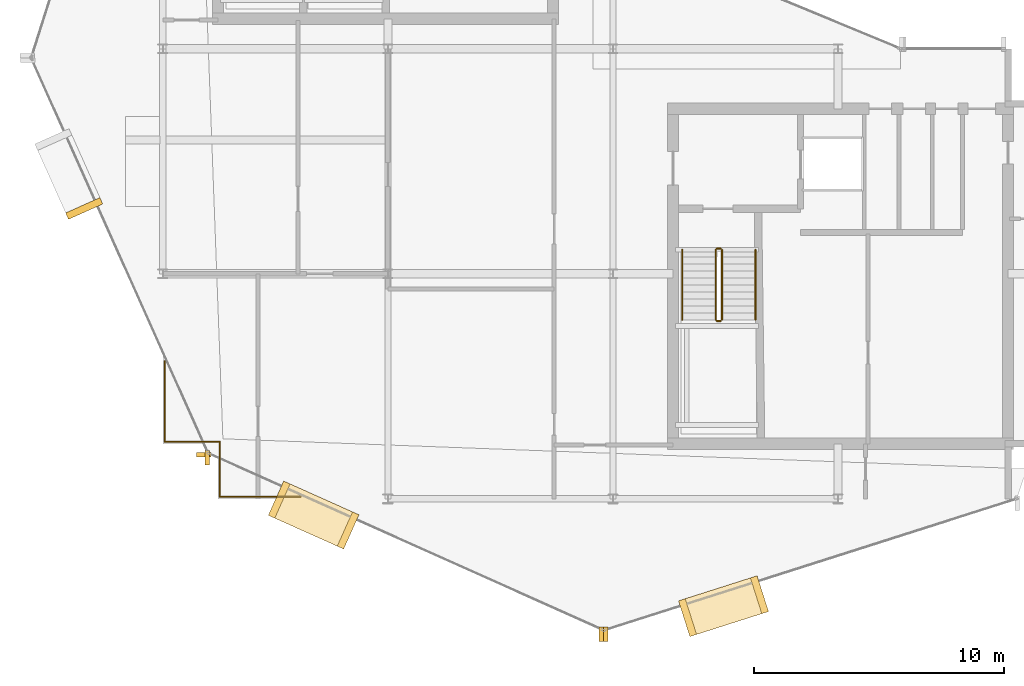
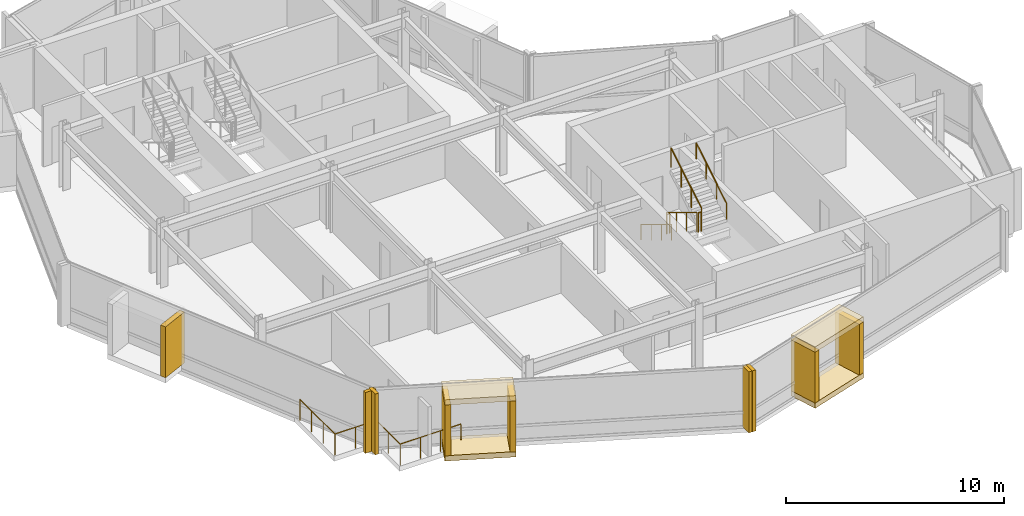
# One storey, part 16 of 19: 13 coverings, 10 railings.
"""IFC4 building model written with IfcOpenShell, lengths in metres."""

from ifc_helpers import new_model, si_unit, direction, frame, origin, origin_2d, place, context, subcontext, project, spatial, rectangle, circle, extrude, material, layer, layer_set, type_object, element, save


model = new_model("IFC4")

# Units and contexts
model_context = context("Model", 3, precision=1e-05, world=origin(), true_north=direction((0.0, 1.0)))
body_context = subcontext(model_context, "Body", "Model", "MODEL_VIEW")
ifc_project = project(units=[si_unit("LENGTHUNIT", "METRE"), si_unit("AREAUNIT", "SQUARE_METRE"), si_unit("VOLUMEUNIT", "CUBIC_METRE"), si_unit("PLANEANGLEUNIT", "RADIAN"), si_unit("MASSUNIT", "GRAM", prefix="KILO")], contexts=[model_context])

# Site, building, storey
site_placement = place(None, origin())
site = spatial("IfcSite", under=ifc_project, at=site_placement, CompositionType="ELEMENT")
building_placement = place(site_placement, origin())
building = spatial("IfcBuilding", under=site, at=building_placement, Name="Solvaryn Broadcast Tower", CompositionType="ELEMENT")
storey_placement = place(building_placement, frame((0.0, 0.0, 270.39990234375)))
storey = spatial("IfcBuildingStorey", under=building, at=storey_placement, Name="L68", CompositionType="ELEMENT", Elevation=270.39990234375)

# Coverings
ifc_material_1 = material(Name="Glazed Architectural Terracotta Rainscreen Cladding", Category="masonry")
ifc_layer_1 = layer(ifc_material_1, 0.280029296875)
ifc_layer_set_1 = layer_set([ifc_layer_1], Name="CV-TC-CLAD")
covering_type_1 = type_object("IfcCoveringType", Name="CV-TC-CLAD", PredefinedType="CLADDING", material=ifc_layer_set_1)
covering_1_placement = place(storey_placement, frame((5.852783203125, 20.61181640625, 0.2802734375), z_axis=(0.0, 0.0, 1.0), x_axis=(0.408489773781, -0.91276289622, 0.0)))
element("IfcCovering", 1, at=covering_1_placement, inside=storey, type_object=covering_type_1, Name="L68 Projecting Stone Window Box Cheek 2-2", PredefinedType="CLADDING", context=body_context, shape_type="SweptSolid", body=[
    extrude(rectangle(XDim=0.280029296875, YDim=1.5, at=origin_2d()), origin(), (0.0, 0.0, 1.0), 2.860107421875),
])
for number, where, z_axis, x_axis, name in (
    (2, (15.030029296875, 8.35107421875, 3.1298828125), (0.0, 0.0, 1.0), (0.91276289622, -0.408489773781, 0.0), "L68 Projecting Stone Window Box Hood 3"),
    (3, (15.030029296875, 8.35107421875, -0.009765625), (0.0, 0.0, 1.0), (0.91276289622, -0.408489773781, 0.0), "L68 Projecting Stone Window Box Sill 3"),
):
    element("IfcCovering", number, at=place(storey_placement, frame(where, z_axis=z_axis, x_axis=x_axis)), inside=storey, type_object=covering_type_1, Name=name, PredefinedType="CLADDING", context=body_context, shape_type="SweptSolid", body=[
        extrude(rectangle(XDim=3.300048828125, YDim=1.5, at=origin_2d()), origin(), (0.0, 0.0, 1.0), 0.300048828125),
    ])
for number, where, z_axis, x_axis, name in (
    (4, (13.651611328125, 8.9677734375, 0.2802734375), (0.0, 0.0, 1.0), (0.91276289622, -0.408489773781, 0.0), "L68 Projecting Stone Window Box Cheek 3-1"),
    (5, (16.408203125, 7.734130859375, 0.2802734375), (0.0, 0.0, 1.0), (0.91276289622, -0.408489773781, 0.0), "L68 Projecting Stone Window Box Cheek 3-2"),
):
    element("IfcCovering", number, at=place(storey_placement, frame(where, z_axis=z_axis, x_axis=x_axis)), inside=storey, type_object=covering_type_1, Name=name, PredefinedType="CLADDING", context=body_context, shape_type="SweptSolid", body=[
        extrude(rectangle(XDim=0.280029296875, YDim=1.5, at=origin_2d()), origin(), (0.0, 0.0, 1.0), 2.860107421875),
    ])
for number, where, z_axis, x_axis, name in (
    (6, (31.4208984375, 4.7060546875, 3.1298828125), (0.0, 0.0, 1.0), (0.952820541996, 0.303534206887, 0.0), "L68 Projecting Stone Window Box Hood 4"),
    (7, (31.4208984375, 4.7060546875, -0.009765625), (0.0, 0.0, 1.0), (0.952820541996, 0.303534206887, 0.0), "L68 Projecting Stone Window Box Sill 4"),
):
    element("IfcCovering", number, at=place(storey_placement, frame(where, z_axis=z_axis, x_axis=x_axis)), inside=storey, type_object=covering_type_1, Name=name, PredefinedType="CLADDING", context=body_context, shape_type="SweptSolid", body=[
        extrude(rectangle(XDim=3.300048828125, YDim=1.5, at=origin_2d()), origin(), (0.0, 0.0, 1.0), 0.300048828125),
    ])
for number, where, z_axis, x_axis, name in (
    (8, (29.982177734375, 4.247802734375, 0.2802734375), (0.0, 0.0, 1.0), (0.952820541996, 0.303534206887, 0.0), "L68 Projecting Stone Window Box Cheek 4-1"),
    (9, (32.85986328125, 5.164306640625, 0.2802734375), (0.0, 0.0, 1.0), (0.952820541996, 0.303534206887, 0.0), "L68 Projecting Stone Window Box Cheek 4-2"),
):
    element("IfcCovering", number, at=place(storey_placement, frame(where, z_axis=z_axis, x_axis=x_axis)), inside=storey, type_object=covering_type_1, Name=name, PredefinedType="CLADDING", context=body_context, shape_type="SweptSolid", body=[
        extrude(rectangle(XDim=0.280029296875, YDim=1.5, at=origin_2d()), origin(), (0.0, 0.0, 1.0), 2.860107421875),
    ])
ifc_material_2 = material(Name="Extruded Architectural Terracotta Fin", Category="masonry")
ifc_layer_2 = layer(ifc_material_2, 0.179931640625)
ifc_layer_set_2 = layer_set([ifc_layer_2], Name="CV-TC-FIN")
covering_type_2 = type_object("IfcCoveringType", Name="CV-TC-FIN", PredefinedType="USERDEFINED", material=ifc_layer_set_2)
covering_2_placement = place(storey_placement, frame((10.640380859375, 10.77099609375, 0.000244140625), z_axis=(0.0, 0.0, 1.0), x_axis=(1.0, 0.0, 0.0)))
element("IfcCovering", 10, at=covering_2_placement, inside=storey, type_object=covering_type_2, Name="L68 Terracotta Vertical Fin FIN-L68-DR2-M01", ObjectType="FIN", PredefinedType="USERDEFINED", context=body_context, shape_type="SweptSolid", body=[
    extrude(rectangle(XDim=0.580078125, YDim=0.179931640625, at=origin_2d()), origin(), (0.0, 0.0, 1.0), 3.419921875),
])
for number, where, z_axis, x_axis, name in (
    (11, (10.77099609375, 10.640380859375, 0.000244140625), (0.0, 0.0, 1.0), (1.0, 0.0, 0.0), "L68 Terracotta Vertical Fin FIN-L68-DR3-M00"),
    (12, (26.53515625, 3.5859375, 0.000244140625), (0.0, 0.0, 1.0), (1.0, 0.0, 0.0), "L68 Terracotta Vertical Fin FIN-L68-DR3-M01"),
    (13, (26.71923828125, 3.575439453125, 0.000244140625), (0.0, 0.0, 1.0), (1.0, 0.0, 0.0), "L68 Terracotta Vertical Fin FIN-L68-DR4-M00"),
):
    element("IfcCovering", number, at=place(storey_placement, frame(where, z_axis=z_axis, x_axis=x_axis)), inside=storey, type_object=covering_type_2, Name=name, ObjectType="FIN", PredefinedType="USERDEFINED", context=body_context, shape_type="SweptSolid", body=[
        extrude(rectangle(XDim=0.179931640625, YDim=0.580078125, at=origin_2d()), origin(), (0.0, 0.0, 1.0), 3.419921875),
    ])

# Railings
ifc_material_3 = material(Name="Stainless Steel and Laminated Glass Guard", Category="steel")
railing_type_1 = type_object("IfcRailingType", Name="RL-SKYG-1200", PredefinedType="BALUSTRADE", material=ifc_material_3)
railing_1_placement = place(storey_placement, frame((9.080078125, 14.5, 0.0)))
element("IfcRailing", 14, at=railing_1_placement, inside=storey, type_object=railing_type_1, Name="L68 Upper SW Corner Balustrade 1", PredefinedType="BALUSTRADE", context=body_context, shape_type="SweptSolid", body=[
    extrude(circle(Radius=0.02392578125, at=origin_2d()), frame((0.0, 0.0, 1.17578125), z_axis=(0.0, -1.0, 0.0), x_axis=(1.0, 0.0, 0.0)), (0.0, 0.0, 1.0), 3.219970703125),
    extrude(circle(Radius=0.02099609375, at=origin_2d()), origin(), (0.0, 0.0, 1.0), 1.15185546875),
    extrude(circle(Radius=0.02099609375, at=origin_2d()), frame((0.0, -1.0732421875, 0.0)), (0.0, 0.0, 1.0), 1.15185546875),
    extrude(circle(Radius=0.02099609375, at=origin_2d()), frame((0.0, -2.146728515625, 0.0)), (0.0, 0.0, 1.0), 1.15185546875),
    extrude(circle(Radius=0.02099609375, at=origin_2d()), frame((0.0, -3.219970703125, 0.0)), (0.0, 0.0, 1.0), 1.15185546875),
])
railing_2_placement = place(storey_placement, frame((9.080078125, 11.280029296875, 0.0)))
element("IfcRailing", 15, at=railing_2_placement, inside=storey, type_object=railing_type_1, Name="L68 Upper SW Corner Balustrade 2", PredefinedType="BALUSTRADE", context=body_context, shape_type="SweptSolid", body=[
    extrude(circle(Radius=0.02392578125, at=origin_2d()), frame((0.0, 0.0, 1.17578125), z_axis=(1.0, 0.0, 0.0), x_axis=(0.0, 1.0, 0.0)), (0.0, 0.0, 1.0), 2.199951171875),
    extrude(circle(Radius=0.02099609375, at=origin_2d()), origin(), (0.0, 0.0, 1.0), 1.15185546875),
    extrude(circle(Radius=0.02099609375, at=origin_2d()), frame((1.10009765625, 0.0, 0.0)), (0.0, 0.0, 1.0), 1.15185546875),
    extrude(circle(Radius=0.02099609375, at=origin_2d()), frame((2.199951171875, 0.0, 0.0)), (0.0, 0.0, 1.0), 1.15185546875),
])
railing_3_placement = place(storey_placement, frame((11.280029296875, 11.280029296875, 0.0)))
element("IfcRailing", 16, at=railing_3_placement, inside=storey, type_object=railing_type_1, Name="L68 Upper SW Corner Balustrade 3", PredefinedType="BALUSTRADE", context=body_context, shape_type="SweptSolid", body=[
    extrude(circle(Radius=0.02392578125, at=origin_2d()), frame((0.0, 0.0, 1.17578125), z_axis=(0.0, -1.0, 0.0), x_axis=(1.0, 0.0, 0.0)), (0.0, 0.0, 1.0), 2.199951171875),
    extrude(circle(Radius=0.02099609375, at=origin_2d()), origin(), (0.0, 0.0, 1.0), 1.15185546875),
    extrude(circle(Radius=0.02099609375, at=origin_2d()), frame((0.0, -1.10009765625, 0.0)), (0.0, 0.0, 1.0), 1.15185546875),
    extrude(circle(Radius=0.02099609375, at=origin_2d()), frame((0.0, -2.199951171875, 0.0)), (0.0, 0.0, 1.0), 1.15185546875),
])
railing_4_placement = place(storey_placement, frame((11.280029296875, 9.080078125, 0.0)))
element("IfcRailing", 17, at=railing_4_placement, inside=storey, type_object=railing_type_1, Name="L68 Upper SW Corner Balustrade 4", PredefinedType="BALUSTRADE", context=body_context, shape_type="SweptSolid", body=[
    extrude(circle(Radius=0.02392578125, at=origin_2d()), frame((0.0, 0.0, 1.17578125), z_axis=(1.0, 0.0, 0.0), x_axis=(0.0, 1.0, 0.0)), (0.0, 0.0, 1.0), 3.219970703125),
    extrude(circle(Radius=0.02099609375, at=origin_2d()), origin(), (0.0, 0.0, 1.0), 1.15185546875),
    extrude(circle(Radius=0.02099609375, at=origin_2d()), frame((1.0732421875, 0.0, 0.0)), (0.0, 0.0, 1.0), 1.15185546875),
    extrude(circle(Radius=0.02099609375, at=origin_2d()), frame((2.146728515625, 0.0, 0.0)), (0.0, 0.0, 1.0), 1.15185546875),
    extrude(circle(Radius=0.02099609375, at=origin_2d()), frame((3.219970703125, 0.0, 0.0)), (0.0, 0.0, 1.0), 1.15185546875),
])
ifc_material_4 = material(Name="Painted Steel Stair Well Guard", Category="steel")
railing_type_2 = type_object("IfcRailingType", Name="RL-STAIR-GUARD", PredefinedType="BALUSTRADE", material=ifc_material_4)
railing_5_placement = place(storey_placement, frame((31.110107421875, 18.9599609375, 0.168212890625)))
element("IfcRailing", 18, at=railing_5_placement, inside=storey, type_object=railing_type_2, Name="L68 ST3 stair guard 1", PredefinedType="BALUSTRADE", context=body_context, shape_type="SweptSolid", body=[
    extrude(circle(Radius=0.02392578125, at=origin_2d()), frame((0.0, 0.0, 1.076171875), z_axis=(0.0, -0.857242210791, 0.514913383045), x_axis=(1.0, 0.0, 0.0)), (0.0, 0.0, 1.0), 3.266357421875),
    extrude(circle(Radius=0.02099609375, at=origin_2d()), origin(), (0.0, 0.0, 1.0), 1.052001953125),
    extrude(circle(Radius=0.02099609375, at=origin_2d()), frame((0.0, -0.933349609375, 0.560546875)), (0.0, 0.0, 1.0), 1.052001953125),
    extrude(circle(Radius=0.02099609375, at=origin_2d()), frame((0.0, -1.86669921875, 1.121337890625)), (0.0, 0.0, 1.0), 1.052001953125),
    extrude(circle(Radius=0.02099609375, at=origin_2d()), frame((0.0, -2.800048828125, 1.681884765625)), (0.0, 0.0, 1.0), 1.052001953125),
])
railing_6_placement = place(storey_placement, frame((31.159912109375, 16.110107421875, 1.85009765625)))
element("IfcRailing", 19, at=railing_6_placement, inside=storey, type_object=railing_type_2, Name="L68 ST3 stair guard 2", PredefinedType="BALUSTRADE", context=body_context, shape_type="SweptSolid", body=[
    extrude(circle(Radius=0.02392578125, at=origin_2d()), frame((0.0, 0.0, 1.076171875), z_axis=(1.0, 0.0, 0.0), x_axis=(0.0, 1.0, 0.0)), (0.0, 0.0, 1.0), 0.150146484375),
    extrude(circle(Radius=0.02099609375, at=origin_2d()), origin(), (0.0, 0.0, 1.0), 1.052001953125),
    extrude(circle(Radius=0.02099609375, at=origin_2d()), frame((0.150146484375, 0.0, 0.0)), (0.0, 0.0, 1.0), 1.052001953125),
])
railing_7_placement = place(storey_placement, frame((31.360107421875, 16.159912109375, 2.018310546875)))
element("IfcRailing", 20, at=railing_7_placement, inside=storey, type_object=railing_type_2, Name="L68 ST3 stair guard 3", PredefinedType="BALUSTRADE", context=body_context, shape_type="SweptSolid", body=[
    extrude(circle(Radius=0.02392578125, at=origin_2d()), frame((0.0, 0.0, 1.076171875), z_axis=(0.0, 0.857242210791, 0.514913383045), x_axis=(-1.0, 0.0, 0.0)), (0.0, 0.0, 1.0), 3.266357421875),
    extrude(circle(Radius=0.02099609375, at=origin_2d()), origin(), (0.0, 0.0, 1.0), 1.052001953125),
    extrude(circle(Radius=0.02099609375, at=origin_2d()), frame((0.0, 0.933349609375, 0.560546875)), (0.0, 0.0, 1.0), 1.052001953125),
    extrude(circle(Radius=0.02099609375, at=origin_2d()), frame((0.0, 1.86669921875, 1.121337890625)), (0.0, 0.0, 1.0), 1.052001953125),
    extrude(circle(Radius=0.02099609375, at=origin_2d()), frame((0.0, 2.800048828125, 1.681884765625)), (0.0, 0.0, 1.0), 1.052001953125),
])
railing_8_placement = place(storey_placement, frame((31.159912109375, 19.010009765625, 0.0)))
element("IfcRailing", 21, at=railing_8_placement, inside=storey, type_object=railing_type_2, Name="L68 ST3 stair guard 4", PredefinedType="BALUSTRADE", context=body_context, shape_type="SweptSolid", body=[
    extrude(circle(Radius=0.02392578125, at=origin_2d()), frame((0.0, 0.0, 1.076171875), z_axis=(1.0, 0.0, 0.0), x_axis=(0.0, 1.0, 0.0)), (0.0, 0.0, 1.0), 0.150146484375),
    extrude(circle(Radius=0.02099609375, at=origin_2d()), origin(), (0.0, 0.0, 1.0), 1.052001953125),
    extrude(circle(Radius=0.02099609375, at=origin_2d()), frame((0.150146484375, 0.0, 0.0)), (0.0, 0.0, 1.0), 1.052001953125),
])
ifc_material_5 = material(Name="Brushed Stainless Steel Tubular Handrail", Category="steel")
railing_type_3 = type_object("IfcRailingType", Name="RL-STAIR-HANDRAIL", PredefinedType="HANDRAIL", material=ifc_material_5)
railing_9_placement = place(storey_placement, frame((29.77001953125, 18.9599609375, 0.168212890625)))
element("IfcRailing", 22, at=railing_9_placement, inside=storey, type_object=railing_type_3, Name="L68 ST3 stair handrail 1", PredefinedType="HANDRAIL", context=body_context, shape_type="SweptSolid", body=[
    extrude(circle(Radius=0.02392578125, at=origin_2d()), frame((0.0, 0.0, 0.8759765625), z_axis=(0.0, -0.857242210791, 0.514913383045), x_axis=(1.0, 0.0, 0.0)), (0.0, 0.0, 1.0), 3.266357421875),
    extrude(circle(Radius=0.02099609375, at=origin_2d()), origin(), (0.0, 0.0, 1.0), 0.851806640625),
    extrude(circle(Radius=0.02099609375, at=origin_2d()), frame((0.0, -0.933349609375, 0.560546875)), (0.0, 0.0, 1.0), 0.851806640625),
    extrude(circle(Radius=0.02099609375, at=origin_2d()), frame((0.0, -1.86669921875, 1.121337890625)), (0.0, 0.0, 1.0), 0.851806640625),
    extrude(circle(Radius=0.02099609375, at=origin_2d()), frame((0.0, -2.800048828125, 1.681884765625)), (0.0, 0.0, 1.0), 0.851806640625),
])
railing_10_placement = place(storey_placement, frame((32.699951171875, 16.159912109375, 2.018310546875)))
element("IfcRailing", 23, at=railing_10_placement, inside=storey, type_object=railing_type_3, Name="L68 ST3 stair handrail 2", PredefinedType="HANDRAIL", context=body_context, shape_type="SweptSolid", body=[
    extrude(circle(Radius=0.02392578125, at=origin_2d()), frame((0.0, 0.0, 0.8759765625), z_axis=(0.0, 0.857242210791, 0.514913383045), x_axis=(-1.0, 0.0, 0.0)), (0.0, 0.0, 1.0), 3.266357421875),
    extrude(circle(Radius=0.02099609375, at=origin_2d()), origin(), (0.0, 0.0, 1.0), 0.851806640625),
    extrude(circle(Radius=0.02099609375, at=origin_2d()), frame((0.0, 0.933349609375, 0.560546875)), (0.0, 0.0, 1.0), 0.851806640625),
    extrude(circle(Radius=0.02099609375, at=origin_2d()), frame((0.0, 1.86669921875, 1.121337890625)), (0.0, 0.0, 1.0), 0.851806640625),
    extrude(circle(Radius=0.02099609375, at=origin_2d()), frame((0.0, 2.800048828125, 1.681884765625)), (0.0, 0.0, 1.0), 0.851806640625),
])

save(model, "model.ifc")
